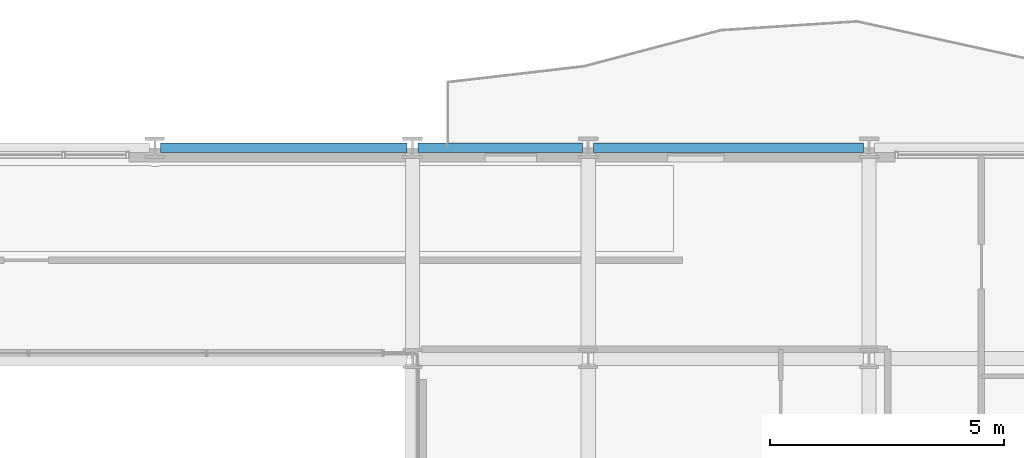
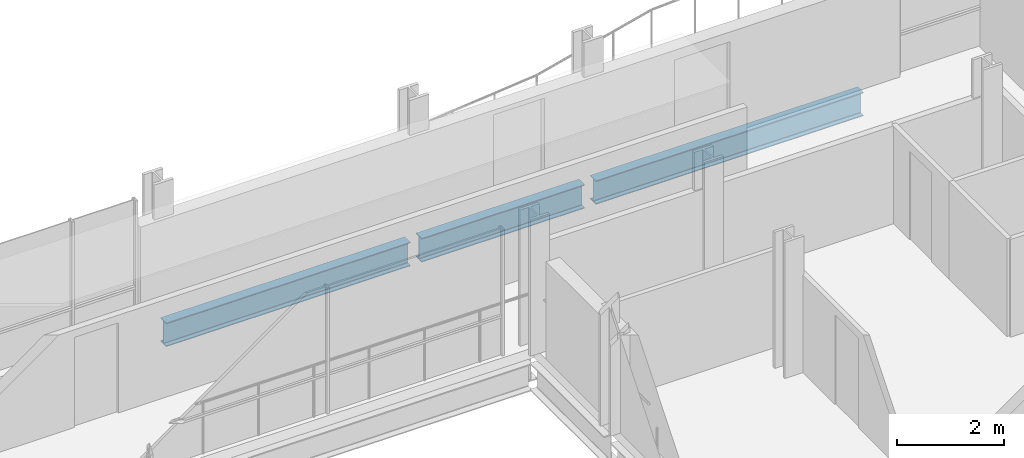
# One storey, part 23 of 41: 3 beams.
"""IFC4 building model written with IfcOpenShell, lengths in metres."""

from ifc_helpers import new_model, si_unit, direction, frame, origin, origin_2d, place, context, subcontext, project, spatial, i_section, extrude, material, material_profile, profile_set, type_object, element, save


model = new_model("IFC4")

# Units and contexts
model_context = context("Model", 3, precision=1e-05, world=origin(), true_north=direction((0.0, 1.0)))
body_context = subcontext(model_context, "Body", "Model", "MODEL_VIEW")
ifc_project = project(units=[si_unit("LENGTHUNIT", "METRE"), si_unit("AREAUNIT", "SQUARE_METRE"), si_unit("VOLUMEUNIT", "CUBIC_METRE"), si_unit("PLANEANGLEUNIT", "RADIAN"), si_unit("MASSUNIT", "GRAM", prefix="KILO")], contexts=[model_context])

# Site, building, storey
site_placement = place(None, origin())
site = spatial("IfcSite", under=ifc_project, at=site_placement, CompositionType="ELEMENT")
building_placement = place(site_placement, origin())
building = spatial("IfcBuilding", under=site, at=building_placement, Name="Brevholm Reach", CompositionType="ELEMENT")
storey_placement = place(building_placement, frame((0.0, 0.0, 86.89990234375)))
storey = spatial("IfcBuildingStorey", under=building, at=storey_placement, Name="L25", CompositionType="ELEMENT", Elevation=86.89990234375)

# Beams
ifc_material = material(Name="Structural Steel S355J2", Category="steel")
ifc_material_profile = material_profile(ifc_material, i_section(OverallWidth=0.210693359375, OverallDepth=0.53955078125, WebThickness=0.01171875, FlangeThickness=0.018798828125, FilletRadius=0.0126953125, at=origin_2d()), Name="UKB 533x210x109")
ifc_profile_set = profile_set([ifc_material_profile], Name="Structural Steel S355J2")
beam_type = type_object("IfcBeamType", Name="BM-SP539", PredefinedType="SPANDREL", material=ifc_profile_set)
beam_1_placement = place(storey_placement, frame((32.8701171875, 31.0, -0.499755859375), z_axis=(1.0, 0.0, 0.0), x_axis=(0.0, 1.0, 0.0)))
element("IfcBeam", 1, at=beam_1_placement, inside=storey, type_object=beam_type, Name="L25 SP-01B Framing Beam", PredefinedType="SPANDREL", context=body_context, shape_type="SweptSolid", body=[
    extrude(i_section(OverallWidth=0.210693359375, OverallDepth=0.53955078125, WebThickness=0.01171875, FlangeThickness=0.018798828125, FilletRadius=0.0126953125, at=origin_2d()), origin(), (0.0, 0.0, 1.0), 5.259765625),
])
beam_2_placement = place(storey_placement, frame((38.3701171875, 31.0, -0.499755859375), z_axis=(1.0, 0.0, 0.0), x_axis=(0.0, 1.0, 0.0)))
element("IfcBeam", 2, at=beam_2_placement, inside=storey, type_object=beam_type, Name="L25 SP-01B Framing Beam", PredefinedType="SPANDREL", context=body_context, shape_type="SweptSolid", body=[
    extrude(i_section(OverallWidth=0.210693359375, OverallDepth=0.53955078125, WebThickness=0.01171875, FlangeThickness=0.018798828125, FilletRadius=0.0126953125, at=origin_2d()), origin(), (0.0, 0.0, 1.0), 3.509765625),
])
beam_3_placement = place(storey_placement, frame((42.1201171875, 31.0, -0.499755859375), z_axis=(1.0, 0.0, 0.0), x_axis=(0.0, 1.0, 0.0)))
element("IfcBeam", 3, at=beam_3_placement, inside=storey, type_object=beam_type, Name="L25 SP-01B Framing Beam", PredefinedType="SPANDREL", context=body_context, shape_type="SweptSolid", body=[
    extrude(i_section(OverallWidth=0.210693359375, OverallDepth=0.53955078125, WebThickness=0.01171875, FlangeThickness=0.018798828125, FilletRadius=0.0126953125, at=origin_2d()), origin(), (0.0, 0.0, 1.0), 5.759765625),
])

save(model, "model.ifc")
